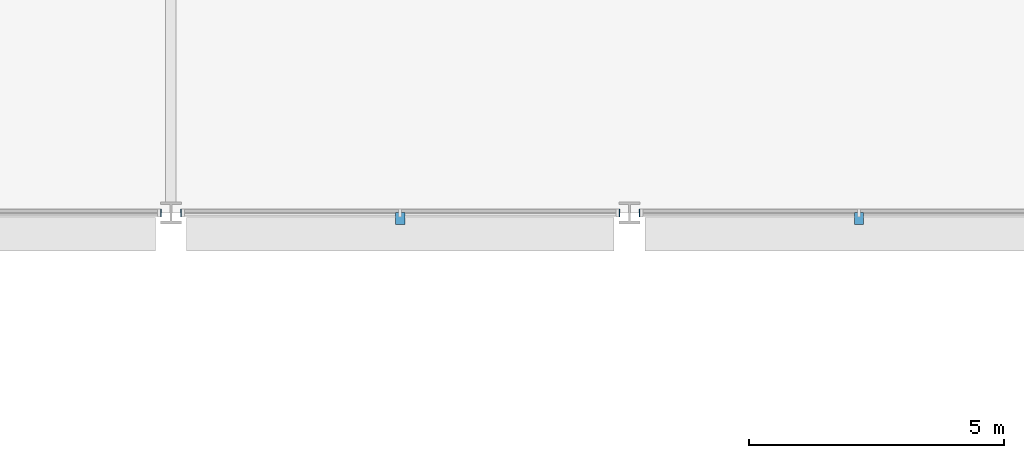
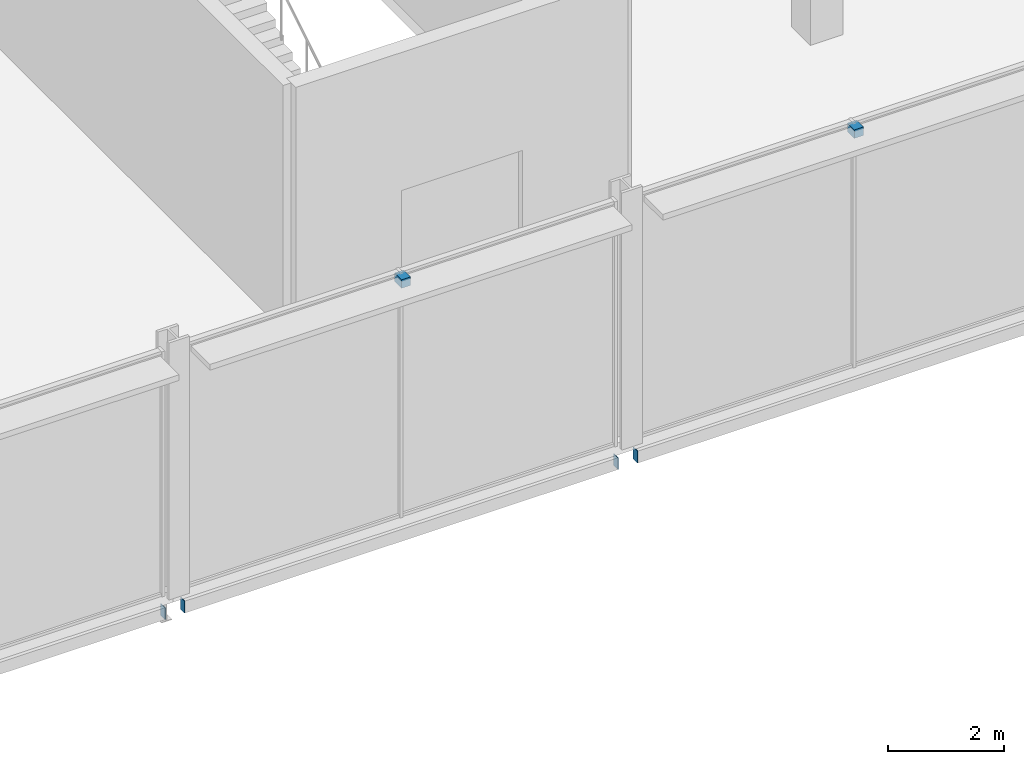
# One storey, part 77 of 111: 6 discrete accessories.
"""IFC4 building model written with IfcOpenShell, lengths in metres."""

from ifc_helpers import new_model, si_unit, direction, frame, origin, origin_2d, place, context, subcontext, project, spatial, polyline, rectangle, outline, extrude, material, layer, layer_set, type_object, element, save


model = new_model("IFC4")

# Units and contexts
model_context = context("Model", 3, precision=1e-05, world=origin(), true_north=direction((0.0, 1.0)))
body_context = subcontext(model_context, "Body", "Model", "MODEL_VIEW")
ifc_project = project(units=[si_unit("LENGTHUNIT", "METRE"), si_unit("AREAUNIT", "SQUARE_METRE"), si_unit("VOLUMEUNIT", "CUBIC_METRE"), si_unit("PLANEANGLEUNIT", "RADIAN"), si_unit("MASSUNIT", "GRAM", prefix="KILO")], contexts=[model_context])

# Site, building, storey
site_placement = place(None, origin())
site = spatial("IfcSite", under=ifc_project, at=site_placement, CompositionType="ELEMENT")
building_placement = place(site_placement, origin())
building = spatial("IfcBuilding", under=site, at=building_placement, Name="Kisiwana Market Hall", CompositionType="ELEMENT")
storey_placement = place(building_placement, frame((0.0, 0.0, 11.39990234375)))
storey = spatial("IfcBuildingStorey", under=building, at=storey_placement, Name="L02", CompositionType="ELEMENT", Elevation=11.39990234375)

# Discrete accessories
ifc_material_1 = material(Name="Steel S355", Category="steel")
discrete_accessory_type_1 = type_object("IfcDiscreteAccessoryType", Name="ACC-BRACKET-STL", PredefinedType="BRACKET", material=ifc_material_1)
for number, where, z_axis, x_axis, name in (
    (1, (103.5, 83.889892578125, 4.93994140625), (0.0, 0.0, 1.0), (1.0, 0.0, 0.0), "Sunshade steel bracket BRK-047"),
    (2, (112.5, 83.889892578125, 4.93994140625), (0.0, 0.0, 1.0), (1.0, 0.0, 0.0), "Sunshade steel bracket BRK-048"),
):
    element("IfcDiscreteAccessory", number, at=place(storey_placement, frame(where, z_axis=z_axis, x_axis=x_axis)), inside=storey, type_object=discrete_accessory_type_1, Name=name, PredefinedType="BRACKET", context=body_context, shape_type="SweptSolid", body=[
        extrude(rectangle(XDim=0.179931640625, YDim=0.239990234375, at=origin_2d()), origin(), (0.0, 0.0, 1.0), 0.179931640625),
    ])
ifc_material_2 = material(Name="Steel S355", Category="steel")
ifc_layer = layer(ifc_material_2, 0.011962890625)
ifc_layer_set = layer_set([ifc_layer], Name="ACC-ENDCAP-STL")
discrete_accessory_type_2 = type_object("IfcDiscreteAccessoryType", Name="ACC-ENDCAP-STL", PredefinedType="USERDEFINED", material=ifc_layer_set)
discrete_accessory_1_placement = place(storey_placement, frame((0.0, 0.0, -0.5)))
element("IfcDiscreteAccessory", 3, at=discrete_accessory_1_placement, inside=storey, type_object=discrete_accessory_type_2, Name="End cap plate EC-0025", ObjectType="End cap plate", PredefinedType="USERDEFINED", context=body_context, shape_type="SweptSolid", body=[
    extrude(outline(polyline([(98.798095703125, 83.925048828125), (98.81005859375, 83.925048828125), (98.81005859375, 84.074951171875), (98.798095703125, 84.074951171875), (98.798095703125, 83.925048828125)])), origin(), (0.0, 0.0, 1.0), 0.25),
])
discrete_accessory_2_placement = place(storey_placement, frame((0.0, 0.0, -0.5)))
element("IfcDiscreteAccessory", 4, at=discrete_accessory_2_placement, inside=storey, type_object=discrete_accessory_type_2, Name="End cap plate EC-0027", ObjectType="End cap plate", PredefinedType="USERDEFINED", context=body_context, shape_type="SweptSolid", body=[
    extrude(outline(polyline([(107.798095703125, 83.925048828125), (107.81005859375, 83.925048828125), (107.81005859375, 84.074951171875), (107.798095703125, 84.074951171875), (107.798095703125, 83.925048828125)])), origin(), (0.0, 0.0, 1.0), 0.25),
])
discrete_accessory_3_placement = place(storey_placement, frame((0.0, 0.0, -0.5)))
element("IfcDiscreteAccessory", 5, at=discrete_accessory_3_placement, inside=storey, type_object=discrete_accessory_type_2, Name="End cap plate EC-0028", ObjectType="End cap plate", PredefinedType="USERDEFINED", context=body_context, shape_type="SweptSolid", body=[
    extrude(outline(polyline([(99.201904296875, 83.925048828125), (99.201904296875, 84.074951171875), (99.18994140625, 84.074951171875), (99.18994140625, 83.925048828125), (99.201904296875, 83.925048828125)])), origin(), (0.0, 0.0, 1.0), 0.25),
])
discrete_accessory_4_placement = place(storey_placement, frame((0.0, 0.0, -0.5)))
element("IfcDiscreteAccessory", 6, at=discrete_accessory_4_placement, inside=storey, type_object=discrete_accessory_type_2, Name="End cap plate EC-0030", ObjectType="End cap plate", PredefinedType="USERDEFINED", context=body_context, shape_type="SweptSolid", body=[
    extrude(outline(polyline([(108.201904296875, 83.925048828125), (108.201904296875, 84.074951171875), (108.18994140625, 84.074951171875), (108.18994140625, 83.925048828125), (108.201904296875, 83.925048828125)])), origin(), (0.0, 0.0, 1.0), 0.25),
])

save(model, "model.ifc")
